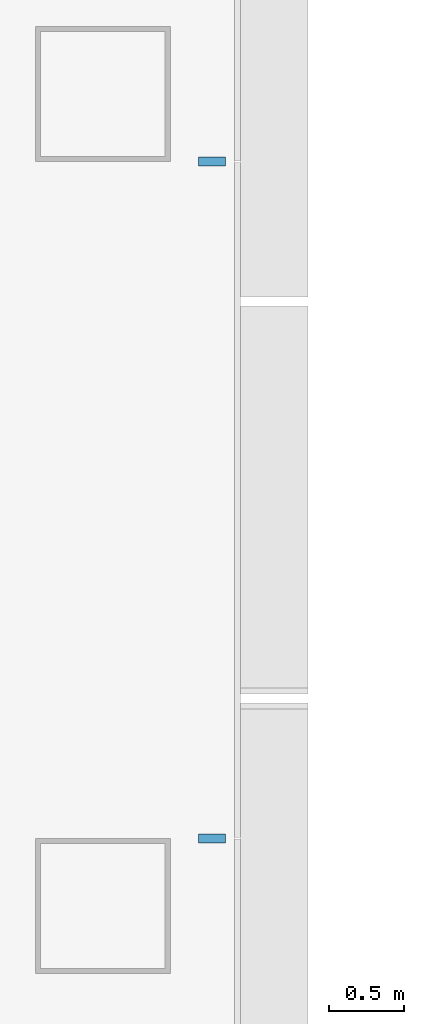
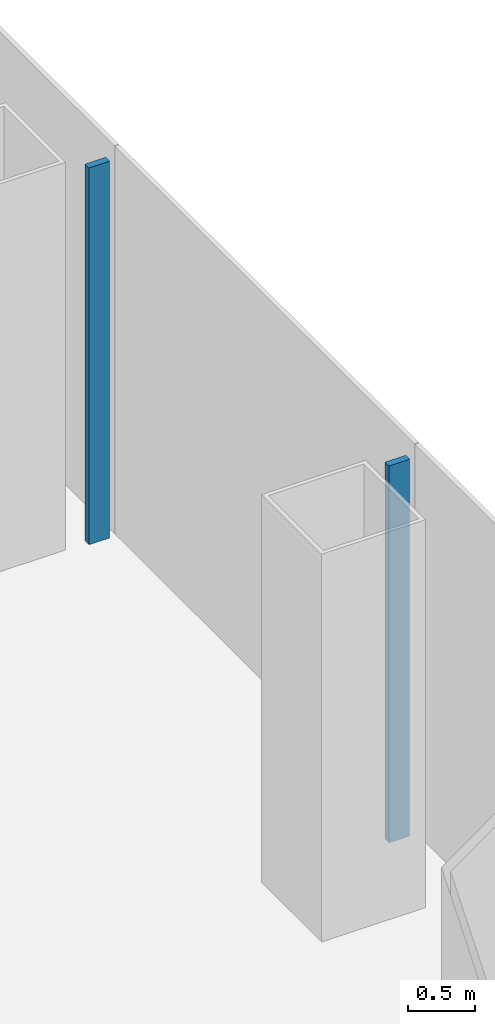
# One storey, part 4 of 18: 2 members, 1 element without a shape of its own.
"""IFC4 building model written with IfcOpenShell, lengths in metres."""

from ifc_helpers import new_model, si_unit, direction, frame, origin, origin_2d, place, context, subcontext, project, spatial, rectangle, extrude, material, layer, layer_set, material_profile, profile_set, type_object, element, aggregate, save


model = new_model("IFC4")

# Units and contexts
model_context = context("Model", 3, precision=1e-05, world=origin(), true_north=direction((0.0, 1.0)))
body_context = subcontext(model_context, "Body", "Model", "MODEL_VIEW")
ifc_project = project(units=[si_unit("LENGTHUNIT", "METRE"), si_unit("AREAUNIT", "SQUARE_METRE"), si_unit("VOLUMEUNIT", "CUBIC_METRE"), si_unit("PLANEANGLEUNIT", "RADIAN"), si_unit("MASSUNIT", "GRAM", prefix="KILO")], contexts=[model_context])

# Site, building, storey
site_placement = place(None, origin())
site = spatial("IfcSite", under=ifc_project, at=site_placement, CompositionType="ELEMENT")
building_placement = place(site_placement, origin())
building = spatial("IfcBuilding", under=site, at=building_placement, Name="Shamsa Quay Exchange Towers", CompositionType="ELEMENT")
storey_placement = place(building_placement, frame((0.0, 0.0, 117.0)))
storey = spatial("IfcBuildingStorey", under=building, at=storey_placement, Name="L27", CompositionType="ELEMENT", Elevation=117.0)

# Curtain wall, members
ifc_material = material(Name="Aluminium EN AW-6063 T6, black anodised", Category="aluminium")
ifc_layer = layer(ifc_material, 0.280029296875)
ifc_layer_set = layer_set([ifc_layer], Name="CW-1 UNITISED VISION GLASS")
curtain_wall_type = type_object("IfcCurtainWallType", Name="CW-1 UNITISED VISION GLASS", PredefinedType="NOTDEFINED", material=ifc_layer_set)
curtain_wall_placement = place(storey_placement, origin())
curtain_wall = element("IfcCurtainWall", 1, at=curtain_wall_placement, inside=storey, type_object=curtain_wall_type, Name="CW1 T1-END-U+ L27", PredefinedType="NOTDEFINED")
ifc_material_profile = material_profile(ifc_material, rectangle(XDim=0.179931640625, YDim=0.06005859375, at=origin_2d()), Name="MU60x180")
ifc_profile_set = profile_set([ifc_material_profile], Name="Aluminium EN AW-6063 T6, black anodised")
member_type = type_object("IfcMemberType", Name="CW1 MULLION 60x180", PredefinedType="MULLION", material=ifc_profile_set)
member_1_placement = place(storey_placement, frame((-4.64990234375, -2.25, 0.0), z_axis=(0.0, 0.0, 1.0), x_axis=(-1.0, 0.0, 0.0)))
member_1 = element("IfcMember", 2, at=member_1_placement, type_object=member_type, Name="CW1 mullion", PredefinedType="MULLION", context=body_context, shape_type="SweptSolid", body=[
    extrude(rectangle(XDim=0.179931640625, YDim=0.06005859375, at=origin_2d()), origin(), (0.0, 0.0, 1.0), 3.449951171875),
])
member_2_placement = place(storey_placement, frame((-4.64990234375, 2.25, 0.0), z_axis=(0.0, 0.0, 1.0), x_axis=(-1.0, 0.0, 0.0)))
member_2 = element("IfcMember", 3, at=member_2_placement, type_object=member_type, Name="CW1 mullion", PredefinedType="MULLION", context=body_context, shape_type="SweptSolid", body=[
    extrude(rectangle(XDim=0.179931640625, YDim=0.06005859375, at=origin_2d()), origin(), (0.0, 0.0, 1.0), 3.449951171875),
])
aggregate(curtain_wall, [member_1, member_2])

save(model, "model.ifc")
